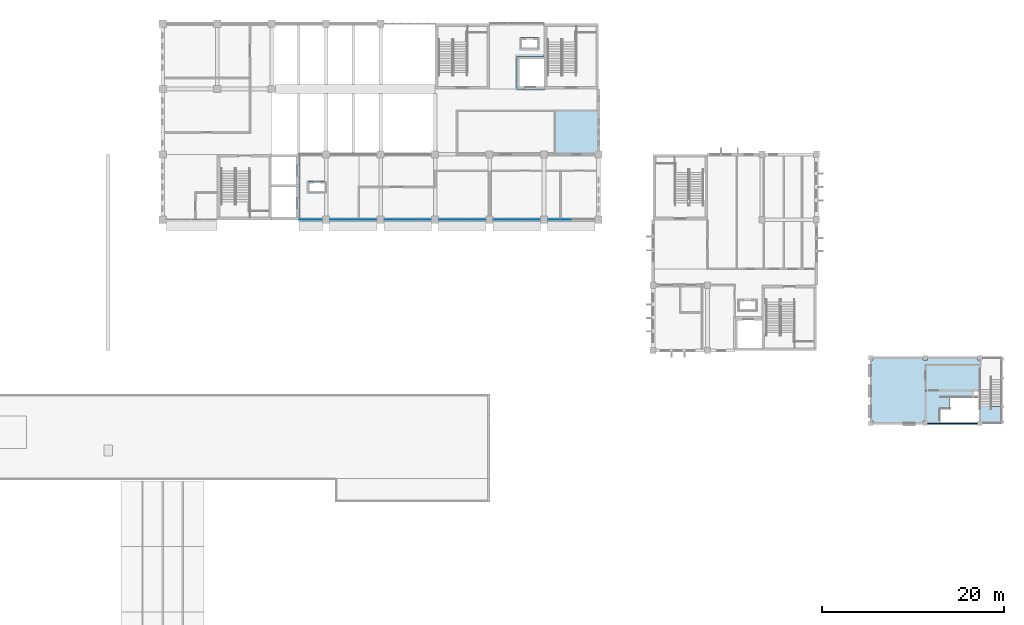
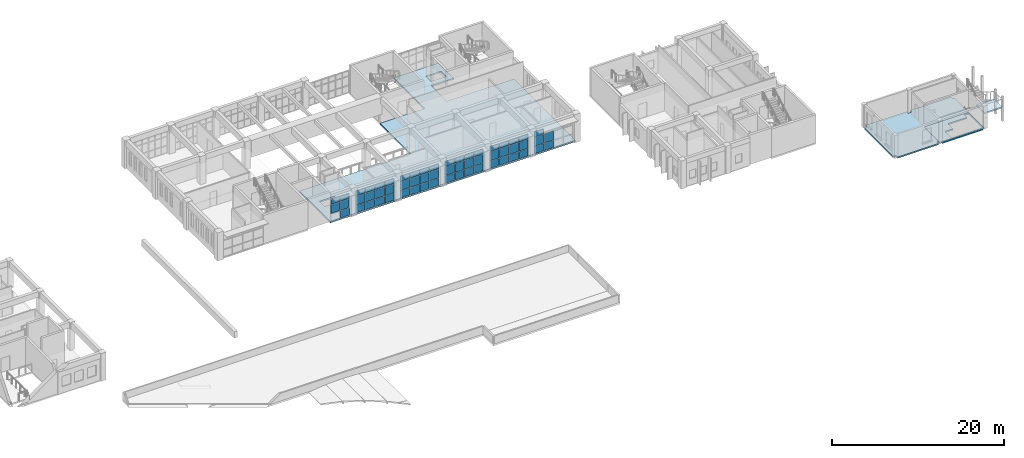
# One storey, part 26 of 47: 58 plates, 5 slabs, 7 elements without a shape of their own.
"""IFC4 building model written with IfcOpenShell, lengths in metres."""

from ifc_helpers import new_model, si_unit, direction, frame, origin, origin_2d, place, context, subcontext, project, spatial, polyline, rectangle, outline, extrude, material, layer, layer_set, type_object, element, aggregate, save


model = new_model("IFC4")

# Units and contexts
model_context = context("Model", 3, precision=1e-05, world=origin(), true_north=direction((0.0, 1.0)))
body_context = subcontext(model_context, "Body", "Model", "MODEL_VIEW")
ifc_project = project(units=[si_unit("LENGTHUNIT", "METRE"), si_unit("AREAUNIT", "SQUARE_METRE"), si_unit("VOLUMEUNIT", "CUBIC_METRE"), si_unit("PLANEANGLEUNIT", "RADIAN"), si_unit("MASSUNIT", "GRAM", prefix="KILO")], contexts=[model_context])

# Site, building, storey
site_placement = place(None, origin())
site = spatial("IfcSite", under=ifc_project, at=site_placement, CompositionType="ELEMENT")
building_placement = place(site_placement, origin())
building = spatial("IfcBuilding", under=site, at=building_placement, Name="Laocheng Heights Fire and Rescue Headquarters", CompositionType="ELEMENT")
storey_placement = place(building_placement, frame((0.0, 0.0, 16.800048828125)))
storey = spatial("IfcBuildingStorey", under=building, at=storey_placement, Name="L04", CompositionType="ELEMENT", Elevation=16.800048828125)

# Curtain wall, plate
ifc_material_1 = material(Name="Dark anodised aluminium unitised curtain wall, low-e double glazing", Category="aluminium")
curtain_wall_type_1 = type_object("IfcCurtainWallType", Name="CW 2600 x 3200 HQ SOUTH RIBBON", PredefinedType="NOTDEFINED", material=ifc_material_1)
curtain_wall_1_placement = place(storey_placement, origin())
curtain_wall_1 = element("IfcCurtainWall", 1, at=curtain_wall_1_placement, inside=storey, type_object=curtain_wall_type_1, Name="X12-X HQ SOUTH L04", PredefinedType="NOTDEFINED")
ifc_material_2 = material(Name="Laminated safety glass, low-e double glazed unit", Category="glass")
ifc_layer_1 = layer(ifc_material_2, 0.0400390625)
ifc_layer_set_1 = layer_set([ifc_layer_1], Name="Laminated safety glass, low-e double glazed unit")
plate_type_1 = type_object("IfcPlateType", Name="CW LAMINATED SAFETY PANEL 40 X", PredefinedType="CURTAIN_PANEL", material=ifc_layer_set_1)
plate_1_placement = place(storey_placement, frame((52.93505859375, 50.39990234375, 0.050048828125), z_axis=(0.0, 0.0, 1.0), x_axis=(1.0, 0.0, 0.0)))
plate_1 = element("IfcPlate", 2, at=plate_1_placement, type_object=plate_type_1, Name="X12-X panel 2.1", PredefinedType="CURTAIN_PANEL", context=body_context, shape_type="SweptSolid", body=[
    extrude(rectangle(XDim=1.2099609375, YDim=0.0400390625, at=origin_2d()), origin(), (0.0, 0.0, 1.0), 1.02490234375),
])

# Curtain wall, plates
ifc_material_3 = material(Name="Dark anodised aluminium unitised curtain wall, low-e double glazing", Category="aluminium")
curtain_wall_type_2 = type_object("IfcCurtainWallType", Name="CW 5200 x 3200 HQ SOUTH RIBBON", PredefinedType="NOTDEFINED", material=ifc_material_3)
curtain_wall_2_placement = place(storey_placement, origin())
curtain_wall_2 = element("IfcCurtainWall", 3, at=curtain_wall_2_placement, inside=storey, type_object=curtain_wall_type_2, Name="X13-X HQ SOUTH L04", PredefinedType="NOTDEFINED")
plate_2_placement = place(storey_placement, frame((55.06494140625, 50.39990234375, 0.050048828125), z_axis=(0.0, 0.0, 1.0), x_axis=(1.0, 0.0, 0.0)))
plate_2 = element("IfcPlate", 4, at=plate_2_placement, type_object=plate_type_1, Name="X13-X panel 1.1", PredefinedType="CURTAIN_PANEL", context=body_context, shape_type="SweptSolid", body=[
    extrude(rectangle(XDim=1.2099609375, YDim=0.0400390625, at=origin_2d()), origin(), (0.0, 0.0, 1.0), 1.02490234375),
])
plate_3_placement = place(storey_placement, frame((56.35009765625, 50.39990234375, 0.050048828125), z_axis=(0.0, 0.0, 1.0), x_axis=(1.0, 0.0, 0.0)))
plate_3 = element("IfcPlate", 5, at=plate_3_placement, type_object=plate_type_1, Name="X13-X panel 2.1", PredefinedType="CURTAIN_PANEL", context=body_context, shape_type="SweptSolid", body=[
    extrude(rectangle(XDim=1.239990234375, YDim=0.0400390625, at=origin_2d()), origin(), (0.0, 0.0, 1.0), 1.02490234375),
])
plate_4_placement = place(storey_placement, frame((57.64990234375, 50.39990234375, 0.050048828125), z_axis=(0.0, 0.0, 1.0), x_axis=(1.0, 0.0, 0.0)))
plate_4 = element("IfcPlate", 6, at=plate_4_placement, type_object=plate_type_1, Name="X13-X panel 3.1", PredefinedType="CURTAIN_PANEL", context=body_context, shape_type="SweptSolid", body=[
    extrude(rectangle(XDim=1.239990234375, YDim=0.0400390625, at=origin_2d()), origin(), (0.0, 0.0, 1.0), 1.02490234375),
])
plate_5_placement = place(storey_placement, frame((58.93505859375, 50.39990234375, 0.050048828125), z_axis=(0.0, 0.0, 1.0), x_axis=(1.0, 0.0, 0.0)))
plate_5 = element("IfcPlate", 7, at=plate_5_placement, type_object=plate_type_1, Name="X13-X panel 4.1", PredefinedType="CURTAIN_PANEL", context=body_context, shape_type="SweptSolid", body=[
    extrude(rectangle(XDim=1.2099609375, YDim=0.0400390625, at=origin_2d()), origin(), (0.0, 0.0, 1.0), 1.02490234375),
])

curtain_wall_3_placement = place(storey_placement, origin())
curtain_wall_3 = element("IfcCurtainWall", 8, at=curtain_wall_3_placement, inside=storey, type_object=curtain_wall_type_2, Name="X13-X HQ SOUTH L04", PredefinedType="NOTDEFINED")
plate_6_placement = place(storey_placement, frame((61.06494140625, 50.39990234375, 0.050048828125), z_axis=(0.0, 0.0, 1.0), x_axis=(1.0, 0.0, 0.0)))
plate_6 = element("IfcPlate", 9, at=plate_6_placement, type_object=plate_type_1, Name="X13-X panel 1.1", PredefinedType="CURTAIN_PANEL", context=body_context, shape_type="SweptSolid", body=[
    extrude(rectangle(XDim=1.2099609375, YDim=0.0400390625, at=origin_2d()), origin(), (0.0, 0.0, 1.0), 1.02490234375),
])
plate_7_placement = place(storey_placement, frame((62.35009765625, 50.39990234375, 0.050048828125), z_axis=(0.0, 0.0, 1.0), x_axis=(1.0, 0.0, 0.0)))
plate_7 = element("IfcPlate", 10, at=plate_7_placement, type_object=plate_type_1, Name="X13-X panel 2.1", PredefinedType="CURTAIN_PANEL", context=body_context, shape_type="SweptSolid", body=[
    extrude(rectangle(XDim=1.239990234375, YDim=0.0400390625, at=origin_2d()), origin(), (0.0, 0.0, 1.0), 1.02490234375),
])
plate_8_placement = place(storey_placement, frame((63.64990234375, 50.39990234375, 0.050048828125), z_axis=(0.0, 0.0, 1.0), x_axis=(1.0, 0.0, 0.0)))
plate_8 = element("IfcPlate", 11, at=plate_8_placement, type_object=plate_type_1, Name="X13-X panel 3.1", PredefinedType="CURTAIN_PANEL", context=body_context, shape_type="SweptSolid", body=[
    extrude(rectangle(XDim=1.239990234375, YDim=0.0400390625, at=origin_2d()), origin(), (0.0, 0.0, 1.0), 1.02490234375),
])
plate_9_placement = place(storey_placement, frame((64.93505859375, 50.39990234375, 0.050048828125), z_axis=(0.0, 0.0, 1.0), x_axis=(1.0, 0.0, 0.0)))
plate_9 = element("IfcPlate", 12, at=plate_9_placement, type_object=plate_type_1, Name="X13-X panel 4.1", PredefinedType="CURTAIN_PANEL", context=body_context, shape_type="SweptSolid", body=[
    extrude(rectangle(XDim=1.2099609375, YDim=0.0400390625, at=origin_2d()), origin(), (0.0, 0.0, 1.0), 1.02490234375),
])

curtain_wall_4_placement = place(storey_placement, origin())
curtain_wall_4 = element("IfcCurtainWall", 13, at=curtain_wall_4_placement, inside=storey, type_object=curtain_wall_type_2, Name="X13-X HQ SOUTH L04", PredefinedType="NOTDEFINED")
plate_10_placement = place(storey_placement, frame((67.06494140625, 50.39990234375, 0.050048828125), z_axis=(0.0, 0.0, 1.0), x_axis=(1.0, 0.0, 0.0)))
plate_10 = element("IfcPlate", 14, at=plate_10_placement, type_object=plate_type_1, Name="X13-X panel 1.1", PredefinedType="CURTAIN_PANEL", context=body_context, shape_type="SweptSolid", body=[
    extrude(rectangle(XDim=1.2099609375, YDim=0.0400390625, at=origin_2d()), origin(), (0.0, 0.0, 1.0), 1.02490234375),
])
plate_11_placement = place(storey_placement, frame((68.35009765625, 50.39990234375, 0.050048828125), z_axis=(0.0, 0.0, 1.0), x_axis=(1.0, 0.0, 0.0)))
plate_11 = element("IfcPlate", 15, at=plate_11_placement, type_object=plate_type_1, Name="X13-X panel 2.1", PredefinedType="CURTAIN_PANEL", context=body_context, shape_type="SweptSolid", body=[
    extrude(rectangle(XDim=1.239990234375, YDim=0.0400390625, at=origin_2d()), origin(), (0.0, 0.0, 1.0), 1.02490234375),
])
plate_12_placement = place(storey_placement, frame((69.64990234375, 50.39990234375, 0.050048828125), z_axis=(0.0, 0.0, 1.0), x_axis=(1.0, 0.0, 0.0)))
plate_12 = element("IfcPlate", 16, at=plate_12_placement, type_object=plate_type_1, Name="X13-X panel 3.1", PredefinedType="CURTAIN_PANEL", context=body_context, shape_type="SweptSolid", body=[
    extrude(rectangle(XDim=1.239990234375, YDim=0.0400390625, at=origin_2d()), origin(), (0.0, 0.0, 1.0), 1.02490234375),
])
plate_13_placement = place(storey_placement, frame((70.93505859375, 50.39990234375, 0.050048828125), z_axis=(0.0, 0.0, 1.0), x_axis=(1.0, 0.0, 0.0)))
plate_13 = element("IfcPlate", 17, at=plate_13_placement, type_object=plate_type_1, Name="X13-X panel 4.1", PredefinedType="CURTAIN_PANEL", context=body_context, shape_type="SweptSolid", body=[
    extrude(rectangle(XDim=1.2099609375, YDim=0.0400390625, at=origin_2d()), origin(), (0.0, 0.0, 1.0), 1.02490234375),
])

curtain_wall_5_placement = place(storey_placement, origin())
curtain_wall_5 = element("IfcCurtainWall", 18, at=curtain_wall_5_placement, inside=storey, type_object=curtain_wall_type_2, Name="X13-X HQ SOUTH L04", PredefinedType="NOTDEFINED")
plate_14_placement = place(storey_placement, frame((73.06494140625, 50.39990234375, 0.050048828125), z_axis=(0.0, 0.0, 1.0), x_axis=(1.0, 0.0, 0.0)))
plate_14 = element("IfcPlate", 19, at=plate_14_placement, type_object=plate_type_1, Name="X13-X panel 1.1", PredefinedType="CURTAIN_PANEL", context=body_context, shape_type="SweptSolid", body=[
    extrude(rectangle(XDim=1.2099609375, YDim=0.0400390625, at=origin_2d()), origin(), (0.0, 0.0, 1.0), 1.02490234375),
])
plate_15_placement = place(storey_placement, frame((74.35009765625, 50.39990234375, 0.050048828125), z_axis=(0.0, 0.0, 1.0), x_axis=(1.0, 0.0, 0.0)))
plate_15 = element("IfcPlate", 20, at=plate_15_placement, type_object=plate_type_1, Name="X13-X panel 2.1", PredefinedType="CURTAIN_PANEL", context=body_context, shape_type="SweptSolid", body=[
    extrude(rectangle(XDim=1.239990234375, YDim=0.0400390625, at=origin_2d()), origin(), (0.0, 0.0, 1.0), 1.02490234375),
])
plate_16_placement = place(storey_placement, frame((75.64990234375, 50.39990234375, 0.050048828125), z_axis=(0.0, 0.0, 1.0), x_axis=(1.0, 0.0, 0.0)))
plate_16 = element("IfcPlate", 21, at=plate_16_placement, type_object=plate_type_1, Name="X13-X panel 3.1", PredefinedType="CURTAIN_PANEL", context=body_context, shape_type="SweptSolid", body=[
    extrude(rectangle(XDim=1.239990234375, YDim=0.0400390625, at=origin_2d()), origin(), (0.0, 0.0, 1.0), 1.02490234375),
])
plate_17_placement = place(storey_placement, frame((76.93505859375, 50.39990234375, 0.050048828125), z_axis=(0.0, 0.0, 1.0), x_axis=(1.0, 0.0, 0.0)))
plate_17 = element("IfcPlate", 22, at=plate_17_placement, type_object=plate_type_1, Name="X13-X panel 4.1", PredefinedType="CURTAIN_PANEL", context=body_context, shape_type="SweptSolid", body=[
    extrude(rectangle(XDim=1.2099609375, YDim=0.0400390625, at=origin_2d()), origin(), (0.0, 0.0, 1.0), 1.02490234375),
])

curtain_wall_6_placement = place(storey_placement, origin())
curtain_wall_6 = element("IfcCurtainWall", 23, at=curtain_wall_6_placement, inside=storey, type_object=curtain_wall_type_2, Name="X13-X HQ SOUTH L04", PredefinedType="NOTDEFINED")
plate_18_placement = place(storey_placement, frame((79.06494140625, 50.39990234375, 0.050048828125), z_axis=(0.0, 0.0, 1.0), x_axis=(1.0, 0.0, 0.0)))
plate_18 = element("IfcPlate", 24, at=plate_18_placement, type_object=plate_type_1, Name="X13-X panel 1.1", PredefinedType="CURTAIN_PANEL", context=body_context, shape_type="SweptSolid", body=[
    extrude(rectangle(XDim=1.2099609375, YDim=0.0400390625, at=origin_2d()), origin(), (0.0, 0.0, 1.0), 1.02490234375),
])
plate_19_placement = place(storey_placement, frame((80.35009765625, 50.39990234375, 0.050048828125), z_axis=(0.0, 0.0, 1.0), x_axis=(1.0, 0.0, 0.0)))
plate_19 = element("IfcPlate", 25, at=plate_19_placement, type_object=plate_type_1, Name="X13-X panel 2.1", PredefinedType="CURTAIN_PANEL", context=body_context, shape_type="SweptSolid", body=[
    extrude(rectangle(XDim=1.239990234375, YDim=0.0400390625, at=origin_2d()), origin(), (0.0, 0.0, 1.0), 1.02490234375),
])

# Plate
ifc_material_4 = material(Name="Low-e double glazed unit, laminated inner pane")
ifc_layer_2 = layer(ifc_material_4, 0.028076171875)
ifc_layer_set_2 = layer_set([ifc_layer_2], Name="Low-e double glazed unit, laminated inner pane")
plate_type_2 = type_object("IfcPlateType", Name="CW VISION PANEL 28 X", PredefinedType="CURTAIN_PANEL", material=ifc_layer_set_2)
plate_20_placement = place(storey_placement, frame((51.6650390625, 50.39990234375, 1.125), z_axis=(0.0, 0.0, 1.0), x_axis=(1.0, 0.0, 0.0)))
plate_20 = element("IfcPlate", 26, at=plate_20_placement, type_object=plate_type_2, Name="X12-X panel 1.2", PredefinedType="CURTAIN_PANEL", context=body_context, shape_type="SweptSolid", body=[
    extrude(rectangle(XDim=1.2099609375, YDim=0.028076171875, at=origin_2d()), origin(), (0.0, 0.0, 1.0), 1.25),
])

plate_21_placement = place(storey_placement, frame((51.6650390625, 50.39990234375, 2.4248046875), z_axis=(0.0, 0.0, 1.0), x_axis=(1.0, 0.0, 0.0)))
plate_21 = element("IfcPlate", 27, at=plate_21_placement, type_object=plate_type_2, Name="X12-X panel 1.3", PredefinedType="CURTAIN_PANEL", context=body_context, shape_type="SweptSolid", body=[
    extrude(rectangle(XDim=1.2099609375, YDim=0.028076171875, at=origin_2d()), origin(), (0.0, 0.0, 1.0), 0.72509765625),
])

plate_22_placement = place(storey_placement, frame((52.93505859375, 50.39990234375, 1.125), z_axis=(0.0, 0.0, 1.0), x_axis=(1.0, 0.0, 0.0)))
plate_22 = element("IfcPlate", 28, at=plate_22_placement, type_object=plate_type_2, Name="X12-X panel 2.2", PredefinedType="CURTAIN_PANEL", context=body_context, shape_type="SweptSolid", body=[
    extrude(rectangle(XDim=1.2099609375, YDim=0.028076171875, at=origin_2d()), origin(), (0.0, 0.0, 1.0), 1.25),
])

plate_23_placement = place(storey_placement, frame((52.93505859375, 50.39990234375, 2.4248046875), z_axis=(0.0, 0.0, 1.0), x_axis=(1.0, 0.0, 0.0)))
plate_23 = element("IfcPlate", 29, at=plate_23_placement, type_object=plate_type_2, Name="X12-X panel 2.3", PredefinedType="CURTAIN_PANEL", context=body_context, shape_type="SweptSolid", body=[
    extrude(rectangle(XDim=1.2099609375, YDim=0.028076171875, at=origin_2d()), origin(), (0.0, 0.0, 1.0), 0.72509765625),
])

aggregate(curtain_wall_1, [plate_20, plate_21, plate_1, plate_22, plate_23])

plate_24_placement = place(storey_placement, frame((55.06494140625, 50.39990234375, 1.125), z_axis=(0.0, 0.0, 1.0), x_axis=(1.0, 0.0, 0.0)))
plate_24 = element("IfcPlate", 30, at=plate_24_placement, type_object=plate_type_2, Name="X13-X panel 1.2", PredefinedType="CURTAIN_PANEL", context=body_context, shape_type="SweptSolid", body=[
    extrude(rectangle(XDim=1.2099609375, YDim=0.028076171875, at=origin_2d()), origin(), (0.0, 0.0, 1.0), 1.25),
])

plate_25_placement = place(storey_placement, frame((55.06494140625, 50.39990234375, 2.4248046875), z_axis=(0.0, 0.0, 1.0), x_axis=(1.0, 0.0, 0.0)))
plate_25 = element("IfcPlate", 31, at=plate_25_placement, type_object=plate_type_2, Name="X13-X panel 1.3", PredefinedType="CURTAIN_PANEL", context=body_context, shape_type="SweptSolid", body=[
    extrude(rectangle(XDim=1.2099609375, YDim=0.028076171875, at=origin_2d()), origin(), (0.0, 0.0, 1.0), 0.72509765625),
])

plate_26_placement = place(storey_placement, frame((56.35009765625, 50.39990234375, 1.125), z_axis=(0.0, 0.0, 1.0), x_axis=(1.0, 0.0, 0.0)))
plate_26 = element("IfcPlate", 32, at=plate_26_placement, type_object=plate_type_2, Name="X13-X panel 2.2", PredefinedType="CURTAIN_PANEL", context=body_context, shape_type="SweptSolid", body=[
    extrude(rectangle(XDim=1.239990234375, YDim=0.028076171875, at=origin_2d()), origin(), (0.0, 0.0, 1.0), 1.25),
])

plate_27_placement = place(storey_placement, frame((56.35009765625, 50.39990234375, 2.4248046875), z_axis=(0.0, 0.0, 1.0), x_axis=(1.0, 0.0, 0.0)))
plate_27 = element("IfcPlate", 33, at=plate_27_placement, type_object=plate_type_2, Name="X13-X panel 2.3", PredefinedType="CURTAIN_PANEL", context=body_context, shape_type="SweptSolid", body=[
    extrude(rectangle(XDim=1.239990234375, YDim=0.028076171875, at=origin_2d()), origin(), (0.0, 0.0, 1.0), 0.72509765625),
])

plate_28_placement = place(storey_placement, frame((57.64990234375, 50.39990234375, 1.125), z_axis=(0.0, 0.0, 1.0), x_axis=(1.0, 0.0, 0.0)))
plate_28 = element("IfcPlate", 34, at=plate_28_placement, type_object=plate_type_2, Name="X13-X panel 3.2", PredefinedType="CURTAIN_PANEL", context=body_context, shape_type="SweptSolid", body=[
    extrude(rectangle(XDim=1.239990234375, YDim=0.028076171875, at=origin_2d()), origin(), (0.0, 0.0, 1.0), 1.25),
])

plate_29_placement = place(storey_placement, frame((57.64990234375, 50.39990234375, 2.4248046875), z_axis=(0.0, 0.0, 1.0), x_axis=(1.0, 0.0, 0.0)))
plate_29 = element("IfcPlate", 35, at=plate_29_placement, type_object=plate_type_2, Name="X13-X panel 3.3", PredefinedType="CURTAIN_PANEL", context=body_context, shape_type="SweptSolid", body=[
    extrude(rectangle(XDim=1.239990234375, YDim=0.028076171875, at=origin_2d()), origin(), (0.0, 0.0, 1.0), 0.72509765625),
])

plate_30_placement = place(storey_placement, frame((58.93505859375, 50.39990234375, 1.125), z_axis=(0.0, 0.0, 1.0), x_axis=(1.0, 0.0, 0.0)))
plate_30 = element("IfcPlate", 36, at=plate_30_placement, type_object=plate_type_2, Name="X13-X panel 4.2", PredefinedType="CURTAIN_PANEL", context=body_context, shape_type="SweptSolid", body=[
    extrude(rectangle(XDim=1.2099609375, YDim=0.028076171875, at=origin_2d()), origin(), (0.0, 0.0, 1.0), 1.25),
])

plate_31_placement = place(storey_placement, frame((58.93505859375, 50.39990234375, 2.4248046875), z_axis=(0.0, 0.0, 1.0), x_axis=(1.0, 0.0, 0.0)))
plate_31 = element("IfcPlate", 37, at=plate_31_placement, type_object=plate_type_2, Name="X13-X panel 4.3", PredefinedType="CURTAIN_PANEL", context=body_context, shape_type="SweptSolid", body=[
    extrude(rectangle(XDim=1.2099609375, YDim=0.028076171875, at=origin_2d()), origin(), (0.0, 0.0, 1.0), 0.72509765625),
])

aggregate(curtain_wall_2, [plate_2, plate_24, plate_25, plate_3, plate_26, plate_27, plate_4, plate_28, plate_29, plate_5, plate_30, plate_31])

plate_32_placement = place(storey_placement, frame((61.06494140625, 50.39990234375, 1.125), z_axis=(0.0, 0.0, 1.0), x_axis=(1.0, 0.0, 0.0)))
plate_32 = element("IfcPlate", 38, at=plate_32_placement, type_object=plate_type_2, Name="X13-X panel 1.2", PredefinedType="CURTAIN_PANEL", context=body_context, shape_type="SweptSolid", body=[
    extrude(rectangle(XDim=1.2099609375, YDim=0.028076171875, at=origin_2d()), origin(), (0.0, 0.0, 1.0), 1.25),
])

plate_33_placement = place(storey_placement, frame((61.06494140625, 50.39990234375, 2.4248046875), z_axis=(0.0, 0.0, 1.0), x_axis=(1.0, 0.0, 0.0)))
plate_33 = element("IfcPlate", 39, at=plate_33_placement, type_object=plate_type_2, Name="X13-X panel 1.3", PredefinedType="CURTAIN_PANEL", context=body_context, shape_type="SweptSolid", body=[
    extrude(rectangle(XDim=1.2099609375, YDim=0.028076171875, at=origin_2d()), origin(), (0.0, 0.0, 1.0), 0.72509765625),
])

plate_34_placement = place(storey_placement, frame((62.35009765625, 50.39990234375, 1.125), z_axis=(0.0, 0.0, 1.0), x_axis=(1.0, 0.0, 0.0)))
plate_34 = element("IfcPlate", 40, at=plate_34_placement, type_object=plate_type_2, Name="X13-X panel 2.2", PredefinedType="CURTAIN_PANEL", context=body_context, shape_type="SweptSolid", body=[
    extrude(rectangle(XDim=1.239990234375, YDim=0.028076171875, at=origin_2d()), origin(), (0.0, 0.0, 1.0), 1.25),
])

plate_35_placement = place(storey_placement, frame((62.35009765625, 50.39990234375, 2.4248046875), z_axis=(0.0, 0.0, 1.0), x_axis=(1.0, 0.0, 0.0)))
plate_35 = element("IfcPlate", 41, at=plate_35_placement, type_object=plate_type_2, Name="X13-X panel 2.3", PredefinedType="CURTAIN_PANEL", context=body_context, shape_type="SweptSolid", body=[
    extrude(rectangle(XDim=1.239990234375, YDim=0.028076171875, at=origin_2d()), origin(), (0.0, 0.0, 1.0), 0.72509765625),
])

plate_36_placement = place(storey_placement, frame((63.64990234375, 50.39990234375, 1.125), z_axis=(0.0, 0.0, 1.0), x_axis=(1.0, 0.0, 0.0)))
plate_36 = element("IfcPlate", 42, at=plate_36_placement, type_object=plate_type_2, Name="X13-X panel 3.2", PredefinedType="CURTAIN_PANEL", context=body_context, shape_type="SweptSolid", body=[
    extrude(rectangle(XDim=1.239990234375, YDim=0.028076171875, at=origin_2d()), origin(), (0.0, 0.0, 1.0), 1.25),
])

plate_37_placement = place(storey_placement, frame((63.64990234375, 50.39990234375, 2.4248046875), z_axis=(0.0, 0.0, 1.0), x_axis=(1.0, 0.0, 0.0)))
plate_37 = element("IfcPlate", 43, at=plate_37_placement, type_object=plate_type_2, Name="X13-X panel 3.3", PredefinedType="CURTAIN_PANEL", context=body_context, shape_type="SweptSolid", body=[
    extrude(rectangle(XDim=1.239990234375, YDim=0.028076171875, at=origin_2d()), origin(), (0.0, 0.0, 1.0), 0.72509765625),
])

plate_38_placement = place(storey_placement, frame((64.93505859375, 50.39990234375, 1.125), z_axis=(0.0, 0.0, 1.0), x_axis=(1.0, 0.0, 0.0)))
plate_38 = element("IfcPlate", 44, at=plate_38_placement, type_object=plate_type_2, Name="X13-X panel 4.2", PredefinedType="CURTAIN_PANEL", context=body_context, shape_type="SweptSolid", body=[
    extrude(rectangle(XDim=1.2099609375, YDim=0.028076171875, at=origin_2d()), origin(), (0.0, 0.0, 1.0), 1.25),
])

plate_39_placement = place(storey_placement, frame((64.93505859375, 50.39990234375, 2.4248046875), z_axis=(0.0, 0.0, 1.0), x_axis=(1.0, 0.0, 0.0)))
plate_39 = element("IfcPlate", 45, at=plate_39_placement, type_object=plate_type_2, Name="X13-X panel 4.3", PredefinedType="CURTAIN_PANEL", context=body_context, shape_type="SweptSolid", body=[
    extrude(rectangle(XDim=1.2099609375, YDim=0.028076171875, at=origin_2d()), origin(), (0.0, 0.0, 1.0), 0.72509765625),
])

aggregate(curtain_wall_3, [plate_6, plate_32, plate_33, plate_7, plate_34, plate_35, plate_8, plate_36, plate_37, plate_9, plate_38, plate_39])

plate_40_placement = place(storey_placement, frame((67.06494140625, 50.39990234375, 1.125), z_axis=(0.0, 0.0, 1.0), x_axis=(1.0, 0.0, 0.0)))
plate_40 = element("IfcPlate", 46, at=plate_40_placement, type_object=plate_type_2, Name="X13-X panel 1.2", PredefinedType="CURTAIN_PANEL", context=body_context, shape_type="SweptSolid", body=[
    extrude(rectangle(XDim=1.2099609375, YDim=0.028076171875, at=origin_2d()), origin(), (0.0, 0.0, 1.0), 1.25),
])

plate_41_placement = place(storey_placement, frame((67.06494140625, 50.39990234375, 2.4248046875), z_axis=(0.0, 0.0, 1.0), x_axis=(1.0, 0.0, 0.0)))
plate_41 = element("IfcPlate", 47, at=plate_41_placement, type_object=plate_type_2, Name="X13-X panel 1.3", PredefinedType="CURTAIN_PANEL", context=body_context, shape_type="SweptSolid", body=[
    extrude(rectangle(XDim=1.2099609375, YDim=0.028076171875, at=origin_2d()), origin(), (0.0, 0.0, 1.0), 0.72509765625),
])

plate_42_placement = place(storey_placement, frame((68.35009765625, 50.39990234375, 1.125), z_axis=(0.0, 0.0, 1.0), x_axis=(1.0, 0.0, 0.0)))
plate_42 = element("IfcPlate", 48, at=plate_42_placement, type_object=plate_type_2, Name="X13-X panel 2.2", PredefinedType="CURTAIN_PANEL", context=body_context, shape_type="SweptSolid", body=[
    extrude(rectangle(XDim=1.239990234375, YDim=0.028076171875, at=origin_2d()), origin(), (0.0, 0.0, 1.0), 1.25),
])

plate_43_placement = place(storey_placement, frame((68.35009765625, 50.39990234375, 2.4248046875), z_axis=(0.0, 0.0, 1.0), x_axis=(1.0, 0.0, 0.0)))
plate_43 = element("IfcPlate", 49, at=plate_43_placement, type_object=plate_type_2, Name="X13-X panel 2.3", PredefinedType="CURTAIN_PANEL", context=body_context, shape_type="SweptSolid", body=[
    extrude(rectangle(XDim=1.239990234375, YDim=0.028076171875, at=origin_2d()), origin(), (0.0, 0.0, 1.0), 0.72509765625),
])

plate_44_placement = place(storey_placement, frame((69.64990234375, 50.39990234375, 1.125), z_axis=(0.0, 0.0, 1.0), x_axis=(1.0, 0.0, 0.0)))
plate_44 = element("IfcPlate", 50, at=plate_44_placement, type_object=plate_type_2, Name="X13-X panel 3.2", PredefinedType="CURTAIN_PANEL", context=body_context, shape_type="SweptSolid", body=[
    extrude(rectangle(XDim=1.239990234375, YDim=0.028076171875, at=origin_2d()), origin(), (0.0, 0.0, 1.0), 1.25),
])

plate_45_placement = place(storey_placement, frame((69.64990234375, 50.39990234375, 2.4248046875), z_axis=(0.0, 0.0, 1.0), x_axis=(1.0, 0.0, 0.0)))
plate_45 = element("IfcPlate", 51, at=plate_45_placement, type_object=plate_type_2, Name="X13-X panel 3.3", PredefinedType="CURTAIN_PANEL", context=body_context, shape_type="SweptSolid", body=[
    extrude(rectangle(XDim=1.239990234375, YDim=0.028076171875, at=origin_2d()), origin(), (0.0, 0.0, 1.0), 0.72509765625),
])

plate_46_placement = place(storey_placement, frame((70.93505859375, 50.39990234375, 1.125), z_axis=(0.0, 0.0, 1.0), x_axis=(1.0, 0.0, 0.0)))
plate_46 = element("IfcPlate", 52, at=plate_46_placement, type_object=plate_type_2, Name="X13-X panel 4.2", PredefinedType="CURTAIN_PANEL", context=body_context, shape_type="SweptSolid", body=[
    extrude(rectangle(XDim=1.2099609375, YDim=0.028076171875, at=origin_2d()), origin(), (0.0, 0.0, 1.0), 1.25),
])

plate_47_placement = place(storey_placement, frame((70.93505859375, 50.39990234375, 2.4248046875), z_axis=(0.0, 0.0, 1.0), x_axis=(1.0, 0.0, 0.0)))
plate_47 = element("IfcPlate", 53, at=plate_47_placement, type_object=plate_type_2, Name="X13-X panel 4.3", PredefinedType="CURTAIN_PANEL", context=body_context, shape_type="SweptSolid", body=[
    extrude(rectangle(XDim=1.2099609375, YDim=0.028076171875, at=origin_2d()), origin(), (0.0, 0.0, 1.0), 0.72509765625),
])

aggregate(curtain_wall_4, [plate_10, plate_40, plate_41, plate_11, plate_42, plate_43, plate_12, plate_44, plate_45, plate_13, plate_46, plate_47])

plate_48_placement = place(storey_placement, frame((73.06494140625, 50.39990234375, 1.125), z_axis=(0.0, 0.0, 1.0), x_axis=(1.0, 0.0, 0.0)))
plate_48 = element("IfcPlate", 54, at=plate_48_placement, type_object=plate_type_2, Name="X13-X panel 1.2", PredefinedType="CURTAIN_PANEL", context=body_context, shape_type="SweptSolid", body=[
    extrude(rectangle(XDim=1.2099609375, YDim=0.028076171875, at=origin_2d()), origin(), (0.0, 0.0, 1.0), 1.25),
])

plate_49_placement = place(storey_placement, frame((73.06494140625, 50.39990234375, 2.4248046875), z_axis=(0.0, 0.0, 1.0), x_axis=(1.0, 0.0, 0.0)))
plate_49 = element("IfcPlate", 55, at=plate_49_placement, type_object=plate_type_2, Name="X13-X panel 1.3", PredefinedType="CURTAIN_PANEL", context=body_context, shape_type="SweptSolid", body=[
    extrude(rectangle(XDim=1.2099609375, YDim=0.028076171875, at=origin_2d()), origin(), (0.0, 0.0, 1.0), 0.72509765625),
])

plate_50_placement = place(storey_placement, frame((74.35009765625, 50.39990234375, 1.125), z_axis=(0.0, 0.0, 1.0), x_axis=(1.0, 0.0, 0.0)))
plate_50 = element("IfcPlate", 56, at=plate_50_placement, type_object=plate_type_2, Name="X13-X panel 2.2", PredefinedType="CURTAIN_PANEL", context=body_context, shape_type="SweptSolid", body=[
    extrude(rectangle(XDim=1.239990234375, YDim=0.028076171875, at=origin_2d()), origin(), (0.0, 0.0, 1.0), 1.25),
])

plate_51_placement = place(storey_placement, frame((74.35009765625, 50.39990234375, 2.4248046875), z_axis=(0.0, 0.0, 1.0), x_axis=(1.0, 0.0, 0.0)))
plate_51 = element("IfcPlate", 57, at=plate_51_placement, type_object=plate_type_2, Name="X13-X panel 2.3", PredefinedType="CURTAIN_PANEL", context=body_context, shape_type="SweptSolid", body=[
    extrude(rectangle(XDim=1.239990234375, YDim=0.028076171875, at=origin_2d()), origin(), (0.0, 0.0, 1.0), 0.72509765625),
])

plate_52_placement = place(storey_placement, frame((75.64990234375, 50.39990234375, 1.125), z_axis=(0.0, 0.0, 1.0), x_axis=(1.0, 0.0, 0.0)))
plate_52 = element("IfcPlate", 58, at=plate_52_placement, type_object=plate_type_2, Name="X13-X panel 3.2", PredefinedType="CURTAIN_PANEL", context=body_context, shape_type="SweptSolid", body=[
    extrude(rectangle(XDim=1.239990234375, YDim=0.028076171875, at=origin_2d()), origin(), (0.0, 0.0, 1.0), 1.25),
])

plate_53_placement = place(storey_placement, frame((75.64990234375, 50.39990234375, 2.4248046875), z_axis=(0.0, 0.0, 1.0), x_axis=(1.0, 0.0, 0.0)))
plate_53 = element("IfcPlate", 59, at=plate_53_placement, type_object=plate_type_2, Name="X13-X panel 3.3", PredefinedType="CURTAIN_PANEL", context=body_context, shape_type="SweptSolid", body=[
    extrude(rectangle(XDim=1.239990234375, YDim=0.028076171875, at=origin_2d()), origin(), (0.0, 0.0, 1.0), 0.72509765625),
])

plate_54_placement = place(storey_placement, frame((76.93505859375, 50.39990234375, 1.125), z_axis=(0.0, 0.0, 1.0), x_axis=(1.0, 0.0, 0.0)))
plate_54 = element("IfcPlate", 60, at=plate_54_placement, type_object=plate_type_2, Name="X13-X panel 4.2", PredefinedType="CURTAIN_PANEL", context=body_context, shape_type="SweptSolid", body=[
    extrude(rectangle(XDim=1.2099609375, YDim=0.028076171875, at=origin_2d()), origin(), (0.0, 0.0, 1.0), 1.25),
])

plate_55_placement = place(storey_placement, frame((76.93505859375, 50.39990234375, 2.4248046875), z_axis=(0.0, 0.0, 1.0), x_axis=(1.0, 0.0, 0.0)))
plate_55 = element("IfcPlate", 61, at=plate_55_placement, type_object=plate_type_2, Name="X13-X panel 4.3", PredefinedType="CURTAIN_PANEL", context=body_context, shape_type="SweptSolid", body=[
    extrude(rectangle(XDim=1.2099609375, YDim=0.028076171875, at=origin_2d()), origin(), (0.0, 0.0, 1.0), 0.72509765625),
])

aggregate(curtain_wall_5, [plate_14, plate_48, plate_49, plate_15, plate_50, plate_51, plate_16, plate_52, plate_53, plate_17, plate_54, plate_55])

plate_56_placement = place(storey_placement, frame((79.06494140625, 50.39990234375, 1.125), z_axis=(0.0, 0.0, 1.0), x_axis=(1.0, 0.0, 0.0)))
plate_56 = element("IfcPlate", 62, at=plate_56_placement, type_object=plate_type_2, Name="X13-X panel 1.2", PredefinedType="CURTAIN_PANEL", context=body_context, shape_type="SweptSolid", body=[
    extrude(rectangle(XDim=1.2099609375, YDim=0.028076171875, at=origin_2d()), origin(), (0.0, 0.0, 1.0), 1.25),
])

plate_57_placement = place(storey_placement, frame((79.06494140625, 50.39990234375, 2.4248046875), z_axis=(0.0, 0.0, 1.0), x_axis=(1.0, 0.0, 0.0)))
plate_57 = element("IfcPlate", 63, at=plate_57_placement, type_object=plate_type_2, Name="X13-X panel 1.3", PredefinedType="CURTAIN_PANEL", context=body_context, shape_type="SweptSolid", body=[
    extrude(rectangle(XDim=1.2099609375, YDim=0.028076171875, at=origin_2d()), origin(), (0.0, 0.0, 1.0), 0.72509765625),
])

plate_58_placement = place(storey_placement, frame((80.35009765625, 50.39990234375, 1.125), z_axis=(0.0, 0.0, 1.0), x_axis=(1.0, 0.0, 0.0)))
plate_58 = element("IfcPlate", 64, at=plate_58_placement, type_object=plate_type_2, Name="X13-X panel 2.2", PredefinedType="CURTAIN_PANEL", context=body_context, shape_type="SweptSolid", body=[
    extrude(rectangle(XDim=1.239990234375, YDim=0.028076171875, at=origin_2d()), origin(), (0.0, 0.0, 1.0), 1.25),
])

aggregate(curtain_wall_6, [plate_18, plate_56, plate_57, plate_19, plate_58])

# Slabs
ifc_material_5 = material(Name="Concrete C40", Category="concrete")
ifc_layer_3 = layer(ifc_material_5, 0.199951171875)
ifc_layer_set_3 = layer_set([ifc_layer_3], Name="Concrete C40")
slab_type_1 = type_object("IfcSlabType", Name="RC FLOOR SLAB 200 DRILL TOWER", PredefinedType="FLOOR", material=ifc_layer_set_3)
slab_1_placement = place(storey_placement, frame((0.0, 0.0, 0.5)))
element("IfcSlab", 65, at=slab_1_placement, inside=storey, type_object=slab_type_1, Name="Drill tower floor F6", PredefinedType="FLOOR", context=body_context, shape_type="SweptSolid", body=[
    extrude(outline(polyline([(126.0, 31.60009765625), (126.0, 34.949951171875), (125.75, 34.949951171875), (125.75, 35.324951171875), (120.25, 35.324951171875), (120.25, 34.949951171875), (119.75, 34.949951171875), (119.75, 35.324951171875), (114.25, 35.324951171875), (114.25, 34.949951171875), (113.875, 34.949951171875), (113.875, 28.25), (114.25, 28.25), (114.25, 27.875), (119.75, 27.875), (119.75, 28.25), (120.0, 28.25), (120.0, 31.60009765625), (126.0, 31.60009765625)])), origin(), (0.0, 0.0, 1.0), 0.199951171875),
])
slab_2_placement = place(storey_placement, frame((0.0, 0.0, 0.5)))
element("IfcSlab", 66, at=slab_2_placement, inside=storey, type_object=slab_type_1, Name="Drill tower floor F6", PredefinedType="FLOOR", context=body_context, shape_type="SweptSolid", body=[
    extrude(outline(polyline([(120.25, 27.875), (125.75, 27.875), (125.75, 28.0), (120.25, 28.0), (120.25, 27.875)])), origin(), (0.0, 0.0, 1.0), 0.199951171875),
])
ifc_material_6 = material(Name="Concrete C40", Category="concrete")
ifc_layer_4 = layer(ifc_material_6, 0.199951171875)
ifc_layer_set_4 = layer_set([ifc_layer_4], Name="Concrete C40")
slab_type_2 = type_object("IfcSlabType", Name="RC FLOOR SLAB 200 HQ", PredefinedType="FLOOR", material=ifc_layer_set_4)
slab_3_placement = place(storey_placement, frame((0.0, 0.0, -0.199951171875)))
element("IfcSlab", 67, at=slab_3_placement, inside=storey, type_object=slab_type_2, Name="HQ floor L04", PredefinedType="FLOOR", context=body_context, shape_type="SweptSolid", body=[
    extrude(outline(polyline([(84.0, 50.39990234375), (84.0, 64.800048828125), (75.0, 64.800048828125), (75.0, 68.39990234375), (78.0, 68.39990234375), (78.0, 72.0), (72.0, 72.0), (72.0, 64.800048828125), (66.0, 64.800048828125), (66.0, 57.60009765625), (51.0, 57.60009765625), (51.0, 50.39990234375), (84.0, 50.39990234375)]), holes=[polyline([(54.0, 54.60009765625), (54.0, 53.39990234375), (52.0, 53.39990234375), (52.0, 54.60009765625), (54.0, 54.60009765625)]), polyline([(77.39990234375, 69.199951171875), (75.39990234375, 69.199951171875), (75.39990234375, 70.39990234375), (77.39990234375, 70.39990234375), (77.39990234375, 69.199951171875)])]), origin(), (0.0, 0.0, 1.0), 0.199951171875),
])
ifc_material_7 = material(Name="Concrete C40", Category="concrete")
ifc_layer_5 = layer(ifc_material_7, 0.199951171875)
ifc_layer_set_5 = layer_set([ifc_layer_5], Name="Concrete C40")
slab_type_3 = type_object("IfcSlabType", Name="STAIR FLOOR LANDING 200", PredefinedType="LANDING", material=ifc_layer_set_5)
slab_4_placement = place(storey_placement, frame((0.0, 0.0, 0.5)))
element("IfcSlab", 68, at=slab_4_placement, inside=storey, type_object=slab_type_3, Name="Stair T1 floor landing F6", PredefinedType="LANDING", context=body_context, shape_type="SweptSolid", body=[
    extrude(outline(polyline([(120.0, 31.60009765625), (126.0, 31.60009765625), (126.0, 28.0), (120.0, 28.0), (120.0, 31.60009765625)]), holes=[polyline([(121.625, 29.60009765625), (121.625, 28.125), (124.592041015625, 28.125), (125.875, 28.125), (125.875, 29.60009765625), (125.875, 30.800048828125), (125.875, 31.47509765625), (125.27490234375, 31.47509765625), (125.27490234375, 30.800048828125), (124.503173828125, 30.800048828125), (122.7080078125, 30.800048828125), (122.7080078125, 29.60009765625), (121.625, 29.60009765625)])]), origin(), (0.0, 0.0, 1.0), 0.199951171875),
])

# Stair, slab
ifc_material_8 = material(Name="Concrete C40", Category="concrete")
stair_type = type_object("IfcStairType", Name="RC STAIR 1200 TWO FLIGHTS 20 RISERS OF 175 GOING 270", PredefinedType="HALF_TURN_STAIR", material=ifc_material_8)
stair_placement = place(storey_placement, origin())
stair = element("IfcStair", 69, at=stair_placement, inside=storey, type_object=stair_type, Name="Stair T2 (F6 to roof)", PredefinedType="HALF_TURN_STAIR")
ifc_material_9 = material(Name="Concrete C40", Category="concrete")
ifc_layer_6 = layer(ifc_material_9, 0.201904296875)
ifc_layer_set_6 = layer_set([ifc_layer_6], Name="Concrete C40")
slab_type_4 = type_object("IfcSlabType", Name="STAIR HALF LANDING 202", PredefinedType="LANDING", material=ifc_layer_set_6)
slab_5_placement = place(storey_placement, frame((0.0, 0.0, 2.599853515625)))
slab_5 = element("IfcSlab", 70, at=slab_5_placement, type_object=slab_type_4, Name="T2-F6 landing 1", PredefinedType="LANDING", context=body_context, shape_type="SweptSolid", body=[
    extrude(outline(polyline([(128.39990234375, 28.0), (128.39990234375, 29.8330078125), (127.199951171875, 29.8330078125), (127.199951171875, 29.921875), (126.0, 29.921875), (126.0, 28.0), (127.199951171875, 28.0), (128.39990234375, 28.0)])), origin(), (0.0, 0.0, 1.0), 0.2021484375),
])
aggregate(stair, [slab_5])

save(model, "model.ifc")
